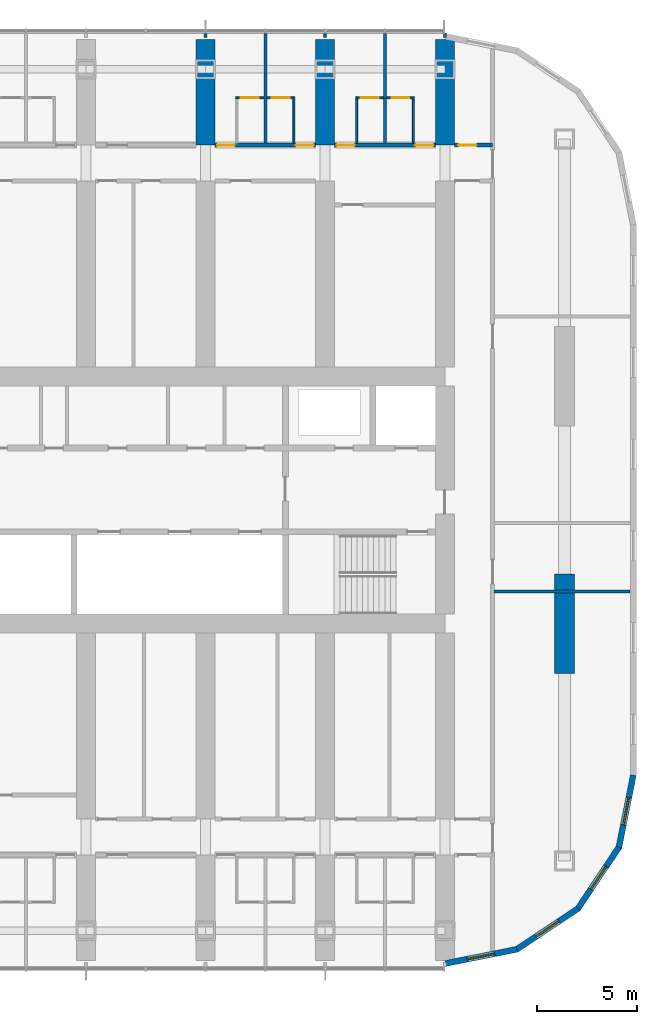
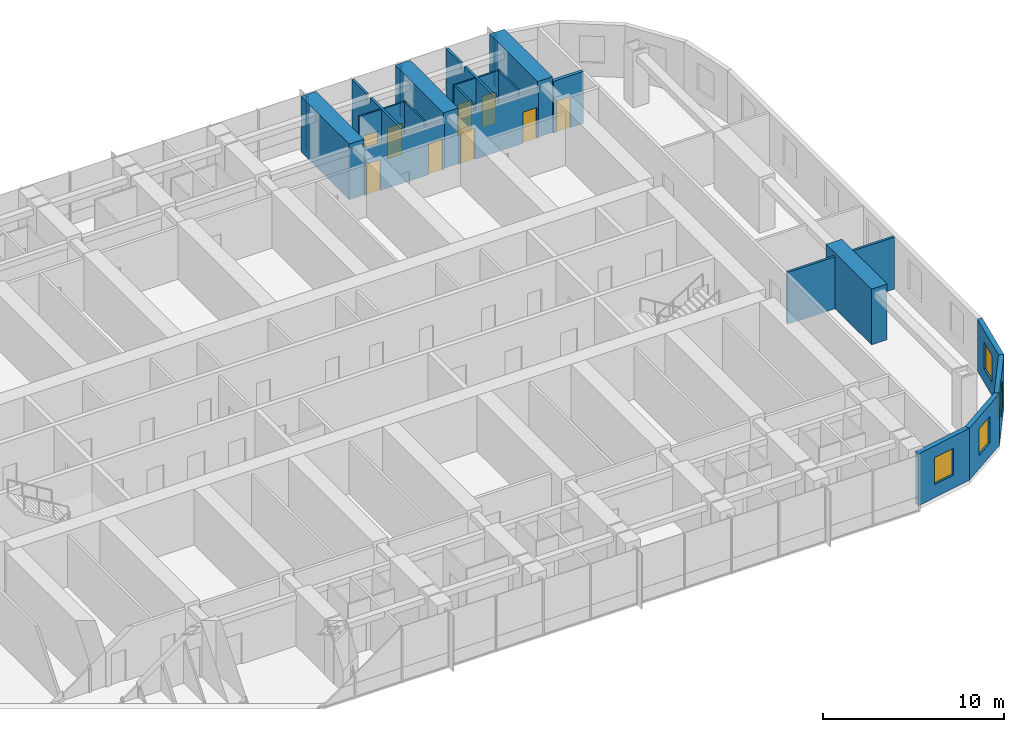
# One storey, part 15 of 21: 24 walls, 9 doors, 4 windows, 13 openings.
"""IFC4 building model written with IfcOpenShell, lengths in metres."""

from ifc_helpers import new_model, si_unit, direction, frame, frame_2d, origin, place, context, subcontext, project, spatial, polyline, rectangle, outline, extrude, material, layer, layer_set, type_object, element, fill, save


model = new_model("IFC4")

# Units and contexts
model_context = context("Model", 3, precision=1e-05, world=origin(), true_north=direction((0.0, 1.0)))
body_context = subcontext(model_context, "Body", "Model", "MODEL_VIEW")
ifc_project = project(units=[si_unit("LENGTHUNIT", "METRE"), si_unit("AREAUNIT", "SQUARE_METRE"), si_unit("VOLUMEUNIT", "CUBIC_METRE"), si_unit("PLANEANGLEUNIT", "RADIAN"), si_unit("MASSUNIT", "GRAM", prefix="KILO")], contexts=[model_context])

# Site, building, storey
site_placement = place(None, origin())
site = spatial("IfcSite", under=ifc_project, at=site_placement, CompositionType="ELEMENT")
building_placement = place(site_placement, origin())
building = spatial("IfcBuilding", under=site, at=building_placement, Name="Orbita Commons", CompositionType="ELEMENT")
storey_placement = place(building_placement, frame((0.0, 0.0, 91.89990234375)))
storey = spatial("IfcBuildingStorey", under=building, at=storey_placement, Name="L22", CompositionType="ELEMENT", Elevation=91.89990234375)

# Wall, openings, doors
ifc_material_1 = material(Name="Concrete blockwork", Category="masonry")
ifc_layer_1 = layer(ifc_material_1, 0.199951171875)
ifc_layer_set_1 = layer_set([ifc_layer_1], Name="Concrete blockwork")
wall_type_1 = type_object("IfcWallType", Name="Corridor wall 200 blockwork", PredefinedType="SOLIDWALL", material=ifc_layer_set_1)
wall_1_placement = place(storey_placement, frame((54.47509765625, 49.800048828125, 0.0), z_axis=(0.0, 0.0, 1.0), x_axis=(1.0, 0.0, 0.0)))
wall_1 = element("IfcWall", 1, at=wall_1_placement, inside=storey, type_object=wall_type_1, Name="Corridor wall 200 blockwork L22", PredefinedType="SOLIDWALL", context=body_context, shape_type="SweptSolid", body=[
    extrude(outline(polyline([(0.0, 0.0), (5.0498046875, 0.0), (5.050048828125, 3.10009765625), (0.0, 3.10009765625), (0.0, 0.0)])), frame((0.0, 0.10009765625, 0.0), z_axis=(0.0, -1.0, 0.0), x_axis=(1.0, 0.0, 0.0)), (0.0, 0.0, 1.0), 0.199951171875),
])
opening_1_placement = place(wall_1_placement, frame((0.10009765625, 0.0, 0.0)))
opening_1 = element("IfcOpeningElement", 2, at=opening_1_placement, cuts=wall_1, Name="Opening D11", PredefinedType="OPENING", context=body_context, shape_type="SweptSolid", body=[
    extrude(rectangle(XDim=0.89990234375, YDim=2.10009765625, at=frame_2d((0.449951171875, 1.050048828125))), frame((0.0, 0.10986328125, 0.0), z_axis=(0.0, -1.0, 0.0), x_axis=(1.0, 0.0, 0.0)), (0.0, 0.0, 1.0), 0.219970703125),
])
opening_2_placement = place(wall_1_placement, frame((4.050048828125, 0.0, 0.0)))
opening_2 = element("IfcOpeningElement", 3, at=opening_2_placement, cuts=wall_1, Name="Opening D11", PredefinedType="OPENING", context=body_context, shape_type="SweptSolid", body=[
    extrude(rectangle(XDim=0.89990234375, YDim=2.10009765625, at=frame_2d((0.449951171875, 1.050048828125))), frame((0.0, 0.10986328125, 0.0), z_axis=(0.0, -1.0, 0.0), x_axis=(1.0, 0.0, 0.0)), (0.0, 0.0, 1.0), 0.219970703125),
])
ifc_material_2 = material(Name="Steel-faced fire door leaf", Category="steel")
door_type_1 = type_object("IfcDoorType", Name="Corridor door 20 min 900x2100", OperationType="SINGLE_SWING_LEFT", PredefinedType="DOOR", material=ifc_material_2)
door_1_placement = place(opening_1_placement, origin())
door_1 = element("IfcDoor", 4, at=door_1_placement, inside=storey, type_object=door_type_1, Name="Cluster bedroom L22-N14 door", OperationType="SINGLE_SWING_LEFT", OverallHeight=2.10009765625, OverallWidth=0.89990234375, PredefinedType="DOOR", context=body_context, shape_type="SweptSolid", body=[
    extrude(rectangle(XDim=0.89990234375, YDim=2.10009765625, at=frame_2d((0.449951171875, 1.050048828125))), frame((0.0, 0.02490234375, 0.0), z_axis=(0.0, -1.0, 0.0), x_axis=(1.0, 0.0, 0.0)), (0.0, 0.0, 1.0), 0.050048828125),
])
fill(opening_1, door_1)
door_2_placement = place(opening_2_placement, origin())
door_2 = element("IfcDoor", 5, at=door_2_placement, inside=storey, type_object=door_type_1, Name="Cluster bedroom L22-N15 door", OperationType="SINGLE_SWING_LEFT", OverallHeight=2.10009765625, OverallWidth=0.89990234375, PredefinedType="DOOR", context=body_context, shape_type="SweptSolid", body=[
    extrude(rectangle(XDim=0.89990234375, YDim=2.10009765625, at=frame_2d((0.449951171875, 1.050048828125))), frame((0.0, 0.02490234375, 0.0), z_axis=(0.0, -1.0, 0.0), x_axis=(1.0, 0.0, 0.0)), (0.0, 0.0, 1.0), 0.050048828125),
])
fill(opening_2, door_2)

wall_2_placement = place(storey_placement, frame((60.47509765625, 49.800048828125, 0.0), z_axis=(0.0, 0.0, 1.0), x_axis=(1.0, 0.0, 0.0)))
wall_2 = element("IfcWall", 6, at=wall_2_placement, inside=storey, type_object=wall_type_1, Name="Corridor wall 200 blockwork L22", PredefinedType="SOLIDWALL", context=body_context, shape_type="SweptSolid", body=[
    extrude(outline(polyline([(0.0, 0.0), (5.0498046875, 0.0), (5.050048828125, 3.10009765625), (0.0, 3.10009765625), (0.0, 0.0)])), frame((0.0, 0.10009765625, 0.0), z_axis=(0.0, -1.0, 0.0), x_axis=(1.0, 0.0, 0.0)), (0.0, 0.0, 1.0), 0.199951171875),
])
opening_3_placement = place(wall_2_placement, frame((0.10009765625, 0.0, 0.0)))
opening_3 = element("IfcOpeningElement", 7, at=opening_3_placement, cuts=wall_2, Name="Opening D11", PredefinedType="OPENING", context=body_context, shape_type="SweptSolid", body=[
    extrude(rectangle(XDim=0.89990234375, YDim=2.10009765625, at=frame_2d((0.449951171875, 1.050048828125))), frame((0.0, 0.10986328125, 0.0), z_axis=(0.0, -1.0, 0.0), x_axis=(1.0, 0.0, 0.0)), (0.0, 0.0, 1.0), 0.219970703125),
])
opening_4_placement = place(wall_2_placement, frame((4.050048828125, 0.0, 0.0)))
opening_4 = element("IfcOpeningElement", 8, at=opening_4_placement, cuts=wall_2, Name="Opening D11", PredefinedType="OPENING", context=body_context, shape_type="SweptSolid", body=[
    extrude(rectangle(XDim=0.89990234375, YDim=2.10009765625, at=frame_2d((0.449951171875, 1.050048828125))), frame((0.0, 0.10986328125, 0.0), z_axis=(0.0, -1.0, 0.0), x_axis=(1.0, 0.0, 0.0)), (0.0, 0.0, 1.0), 0.219970703125),
])
door_3_placement = place(opening_3_placement, origin())
door_3 = element("IfcDoor", 9, at=door_3_placement, inside=storey, type_object=door_type_1, Name="Cluster bedroom L22-N16 door", OperationType="SINGLE_SWING_LEFT", OverallHeight=2.10009765625, OverallWidth=0.89990234375, PredefinedType="DOOR", context=body_context, shape_type="SweptSolid", body=[
    extrude(rectangle(XDim=0.89990234375, YDim=2.10009765625, at=frame_2d((0.449951171875, 1.050048828125))), frame((0.0, 0.02490234375, 0.0), z_axis=(0.0, -1.0, 0.0), x_axis=(1.0, 0.0, 0.0)), (0.0, 0.0, 1.0), 0.050048828125),
])
fill(opening_3, door_3)
door_4_placement = place(opening_4_placement, origin())
door_4 = element("IfcDoor", 10, at=door_4_placement, inside=storey, type_object=door_type_1, Name="Cluster bedroom L22-N17 door", OperationType="SINGLE_SWING_LEFT", OverallHeight=2.10009765625, OverallWidth=0.89990234375, PredefinedType="DOOR", context=body_context, shape_type="SweptSolid", body=[
    extrude(rectangle(XDim=0.89990234375, YDim=2.10009765625, at=frame_2d((0.449951171875, 1.050048828125))), frame((0.0, 0.02490234375, 0.0), z_axis=(0.0, -1.0, 0.0), x_axis=(1.0, 0.0, 0.0)), (0.0, 0.0, 1.0), 0.050048828125),
])
fill(opening_4, door_4)

# Wall, opening, door
wall_3_placement = place(storey_placement, frame((66.47509765625, 49.800048828125, 0.0), z_axis=(0.0, 0.0, 1.0), x_axis=(1.0, 0.0, 0.0)))
wall_3 = element("IfcWall", 11, at=wall_3_placement, inside=storey, type_object=wall_type_1, Name="Corridor wall 200 blockwork L22", PredefinedType="SOLIDWALL", context=body_context, shape_type="SweptSolid", body=[
    extrude(rectangle(XDim=1.9248046875, YDim=0.199951171875, at=frame_2d((0.96240234375, 0.0))), origin(), (0.0, 0.0, 1.0), 3.5),
])
opening_5_placement = place(wall_3_placement, frame((0.199951171875, 0.0, 0.0)))
opening_5 = element("IfcOpeningElement", 12, at=opening_5_placement, cuts=wall_3, Name="Opening D05", PredefinedType="OPENING", context=body_context, shape_type="SweptSolid", body=[
    extrude(rectangle(XDim=0.89990234375, YDim=2.10009765625, at=frame_2d((0.449951171875, 1.050048828125))), frame((0.0, 0.10986328125, 0.0), z_axis=(0.0, -1.0, 0.0), x_axis=(1.0, 0.0, 0.0)), (0.0, 0.0, 1.0), 0.219970703125),
])
ifc_material_3 = material(Name="Steel-faced fire door leaf", Category="steel")
door_type_2 = type_object("IfcDoorType", Name="Service door 20 min 900x2100", OperationType="SINGLE_SWING_LEFT", PredefinedType="DOOR", material=ifc_material_3)
door_5_placement = place(opening_5_placement, origin())
door_5 = element("IfcDoor", 13, at=door_5_placement, inside=storey, type_object=door_type_2, Name="Linen store L22-KEN door", OperationType="SINGLE_SWING_LEFT", OverallHeight=2.10009765625, OverallWidth=0.89990234375, PredefinedType="DOOR", context=body_context, shape_type="SweptSolid", body=[
    extrude(rectangle(XDim=0.89990234375, YDim=2.10009765625, at=frame_2d((0.449951171875, 1.050048828125))), frame((0.0, 0.02490234375, 0.0), z_axis=(0.0, -1.0, 0.0), x_axis=(1.0, 0.0, 0.0)), (0.0, 0.0, 1.0), 0.050048828125),
])
fill(opening_5, door_5)

# Walls
ifc_material_4 = material(Name="Concrete C50/60", Category="concrete")
ifc_layer_2 = layer(ifc_material_4, 0.949951171875)
ifc_layer_set_2 = layer_set([ifc_layer_2], Name="Concrete C50/60")
wall_type_2 = type_object("IfcWallType", Name="Cross wall 950 C50/60", PredefinedType="SHEAR", material=ifc_layer_set_2)
for number, where, z_axis, x_axis, name in (
    (14, (54.0, 49.800048828125, 0.0), (0.0, 0.0, 1.0), (0.0, 1.0, 0.0), "Cross wall 10 north outer L22"),
    (15, (60.0, 49.800048828125, 0.0), (0.0, 0.0, 1.0), (0.0, 1.0, 0.0), "Cross wall 11 north outer L22"),
    (16, (66.0, 49.800048828125, 0.0), (0.0, 0.0, 1.0), (0.0, 1.0, 0.0), "Cross wall 12 north outer L22"),
):
    element("IfcWall", number, at=place(storey_placement, frame(where, z_axis=z_axis, x_axis=x_axis)), inside=storey, type_object=wall_type_2, Name=name, PredefinedType="SHEAR", context=body_context, shape_type="SweptSolid", body=[
        extrude(rectangle(XDim=5.300048828125, YDim=0.949951171875, at=frame_2d((2.64990234375, 0.0))), origin(), (0.0, 0.0, 1.0), 3.75),
    ])

# Wall, opening, door
ifc_material_5 = material(Name="Moisture-resistant plasterboard on steel studs", Category="steel")
ifc_layer_3 = layer(ifc_material_5, 0.10009765625)
ifc_layer_set_3 = layer_set([ifc_layer_3], Name="Moisture-resistant plasterboard on steel studs")
wall_type_3 = type_object("IfcWallType", Name="En-suite partition 100", PredefinedType="PARTITIONING", material=ifc_layer_set_3)
wall_4_placement = place(storey_placement, frame((55.52490234375, 52.1591796875, 0.0), z_axis=(0.0, 0.0, 1.0), x_axis=(1.0, 0.0, 0.0)))
wall_4 = element("IfcWall", 17, at=wall_4_placement, inside=storey, type_object=wall_type_3, Name="En-suite partition 100 L22", PredefinedType="PARTITIONING", context=body_context, shape_type="SweptSolid", body=[
    extrude(rectangle(XDim=1.400146484375, YDim=0.10009765625, at=frame_2d((0.7001953125, 0.0))), origin(), (0.0, 0.0, 1.0), 3.5),
])
opening_6_placement = place(wall_4_placement, frame((0.25, 0.0, 0.0)))
opening_6 = element("IfcOpeningElement", 18, at=opening_6_placement, cuts=wall_4, Name="Opening D09", PredefinedType="OPENING", context=body_context, shape_type="SweptSolid", body=[
    extrude(rectangle(XDim=0.89990234375, YDim=2.10009765625, at=frame_2d((0.449951171875, 1.050048828125))), frame((0.0, 0.06005859375, 0.0), z_axis=(0.0, -1.0, 0.0), x_axis=(1.0, 0.0, 0.0)), (0.0, 0.0, 1.0), 0.1201171875),
])
ifc_material_6 = material(Name="Laminated timber door leaf", Category="wood")
door_type_3 = type_object("IfcDoorType", Name="En-suite door 900x2100", OperationType="SINGLE_SWING_RIGHT", PredefinedType="DOOR", material=ifc_material_6)
door_6_placement = place(opening_6_placement, origin())
door_6 = element("IfcDoor", 19, at=door_6_placement, inside=storey, type_object=door_type_3, Name="En-suite L22-N14 door", OperationType="SINGLE_SWING_RIGHT", OverallHeight=2.10009765625, OverallWidth=0.89990234375, PredefinedType="DOOR", context=body_context, shape_type="SweptSolid", body=[
    extrude(rectangle(XDim=0.89990234375, YDim=2.10009765625, at=frame_2d((0.449951171875, 1.050048828125))), frame((0.0, 0.02490234375, 0.0), z_axis=(0.0, -1.0, 0.0), x_axis=(1.0, 0.0, 0.0)), (0.0, 0.0, 1.0), 0.050048828125),
])
fill(opening_6, door_6)

wall_5_placement = place(storey_placement, frame((57.074951171875, 52.1591796875, 0.0), z_axis=(0.0, 0.0, 1.0), x_axis=(1.0, 0.0, 0.0)))
wall_5 = element("IfcWall", 20, at=wall_5_placement, inside=storey, type_object=wall_type_3, Name="En-suite partition 100 L22", PredefinedType="PARTITIONING", context=body_context, shape_type="SweptSolid", body=[
    extrude(rectangle(XDim=1.400146484375, YDim=0.10009765625, at=frame_2d((0.7001953125, 0.0))), origin(), (0.0, 0.0, 1.0), 3.5),
])
opening_7_placement = place(wall_5_placement, frame((0.25, 0.0, 0.0)))
opening_7 = element("IfcOpeningElement", 21, at=opening_7_placement, cuts=wall_5, Name="Opening D09", PredefinedType="OPENING", context=body_context, shape_type="SweptSolid", body=[
    extrude(rectangle(XDim=0.89990234375, YDim=2.10009765625, at=frame_2d((0.449951171875, 1.050048828125))), frame((0.0, 0.06005859375, 0.0), z_axis=(0.0, -1.0, 0.0), x_axis=(1.0, 0.0, 0.0)), (0.0, 0.0, 1.0), 0.1201171875),
])
door_7_placement = place(opening_7_placement, origin())
door_7 = element("IfcDoor", 22, at=door_7_placement, inside=storey, type_object=door_type_3, Name="En-suite L22-N15 door", OperationType="SINGLE_SWING_RIGHT", OverallHeight=2.10009765625, OverallWidth=0.89990234375, PredefinedType="DOOR", context=body_context, shape_type="SweptSolid", body=[
    extrude(rectangle(XDim=0.89990234375, YDim=2.10009765625, at=frame_2d((0.449951171875, 1.050048828125))), frame((0.0, 0.02490234375, 0.0), z_axis=(0.0, -1.0, 0.0), x_axis=(1.0, 0.0, 0.0)), (0.0, 0.0, 1.0), 0.050048828125),
])
fill(opening_7, door_7)

# Wall
wall_6_placement = place(storey_placement, frame((58.425048828125, 52.109375, 0.0), z_axis=(0.0, 0.0, 1.0), x_axis=(0.0, -1.0, 0.0)))
element("IfcWall", 23, at=wall_6_placement, inside=storey, type_object=wall_type_3, Name="En-suite partition 100 L22", PredefinedType="PARTITIONING", context=body_context, shape_type="SweptSolid", body=[
    extrude(outline(polyline([(0.0, 0.0), (2.20947265625, 0.0), (2.209228515625, 3.10009765625), (2.161376953125, 3.10009765625), (2.1591796875, 3.5), (0.0, 3.5), (0.0, 0.0)])), frame((0.0, 0.050048828125, 0.0), z_axis=(0.0, -1.0, 0.0), x_axis=(1.0, 0.0, 0.0)), (0.0, 0.0, 1.0), 0.10009765625),
])

# Wall, opening, door
wall_7_placement = place(storey_placement, frame((61.52490234375, 52.1591796875, 0.0), z_axis=(0.0, 0.0, 1.0), x_axis=(1.0, 0.0, 0.0)))
wall_7 = element("IfcWall", 24, at=wall_7_placement, inside=storey, type_object=wall_type_3, Name="En-suite partition 100 L22", PredefinedType="PARTITIONING", context=body_context, shape_type="SweptSolid", body=[
    extrude(rectangle(XDim=1.400146484375, YDim=0.10009765625, at=frame_2d((0.7001953125, 0.0))), origin(), (0.0, 0.0, 1.0), 3.5),
])
opening_8_placement = place(wall_7_placement, frame((0.25, 0.0, 0.0)))
opening_8 = element("IfcOpeningElement", 25, at=opening_8_placement, cuts=wall_7, Name="Opening D09", PredefinedType="OPENING", context=body_context, shape_type="SweptSolid", body=[
    extrude(rectangle(XDim=0.89990234375, YDim=2.10009765625, at=frame_2d((0.449951171875, 1.050048828125))), frame((0.0, 0.06005859375, 0.0), z_axis=(0.0, -1.0, 0.0), x_axis=(1.0, 0.0, 0.0)), (0.0, 0.0, 1.0), 0.1201171875),
])
door_8_placement = place(opening_8_placement, origin())
door_8 = element("IfcDoor", 26, at=door_8_placement, inside=storey, type_object=door_type_3, Name="En-suite L22-N16 door", OperationType="SINGLE_SWING_RIGHT", OverallHeight=2.10009765625, OverallWidth=0.89990234375, PredefinedType="DOOR", context=body_context, shape_type="SweptSolid", body=[
    extrude(rectangle(XDim=0.89990234375, YDim=2.10009765625, at=frame_2d((0.449951171875, 1.050048828125))), frame((0.0, 0.02490234375, 0.0), z_axis=(0.0, -1.0, 0.0), x_axis=(1.0, 0.0, 0.0)), (0.0, 0.0, 1.0), 0.050048828125),
])
fill(opening_8, door_8)

# Wall
wall_8_placement = place(storey_placement, frame((61.574951171875, 52.109375, 0.0), z_axis=(0.0, 0.0, 1.0), x_axis=(0.0, -1.0, 0.0)))
element("IfcWall", 27, at=wall_8_placement, inside=storey, type_object=wall_type_3, Name="En-suite partition 100 L22", PredefinedType="PARTITIONING", context=body_context, shape_type="SweptSolid", body=[
    extrude(outline(polyline([(0.0, 0.0), (2.20947265625, 0.0), (2.209228515625, 3.10009765625), (2.161376953125, 3.10009765625), (2.1591796875, 3.5), (0.0, 3.5), (0.0, 0.0)])), frame((0.0, 0.050048828125, 0.0), z_axis=(0.0, -1.0, 0.0), x_axis=(1.0, 0.0, 0.0)), (0.0, 0.0, 1.0), 0.10009765625),
])

# Wall, opening, door
wall_9_placement = place(storey_placement, frame((63.074951171875, 52.1591796875, 0.0), z_axis=(0.0, 0.0, 1.0), x_axis=(1.0, 0.0, 0.0)))
wall_9 = element("IfcWall", 28, at=wall_9_placement, inside=storey, type_object=wall_type_3, Name="En-suite partition 100 L22", PredefinedType="PARTITIONING", context=body_context, shape_type="SweptSolid", body=[
    extrude(rectangle(XDim=1.400146484375, YDim=0.10009765625, at=frame_2d((0.7001953125, 0.0))), origin(), (0.0, 0.0, 1.0), 3.5),
])
opening_9_placement = place(wall_9_placement, frame((0.25, 0.0, 0.0)))
opening_9 = element("IfcOpeningElement", 29, at=opening_9_placement, cuts=wall_9, Name="Opening D09", PredefinedType="OPENING", context=body_context, shape_type="SweptSolid", body=[
    extrude(rectangle(XDim=0.89990234375, YDim=2.10009765625, at=frame_2d((0.449951171875, 1.050048828125))), frame((0.0, 0.06005859375, 0.0), z_axis=(0.0, -1.0, 0.0), x_axis=(1.0, 0.0, 0.0)), (0.0, 0.0, 1.0), 0.1201171875),
])
door_9_placement = place(opening_9_placement, origin())
door_9 = element("IfcDoor", 30, at=door_9_placement, inside=storey, type_object=door_type_3, Name="En-suite L22-N17 door", OperationType="SINGLE_SWING_RIGHT", OverallHeight=2.10009765625, OverallWidth=0.89990234375, PredefinedType="DOOR", context=body_context, shape_type="SweptSolid", body=[
    extrude(rectangle(XDim=0.89990234375, YDim=2.10009765625, at=frame_2d((0.449951171875, 1.050048828125))), frame((0.0, 0.02490234375, 0.0), z_axis=(0.0, -1.0, 0.0), x_axis=(1.0, 0.0, 0.0)), (0.0, 0.0, 1.0), 0.050048828125),
])
fill(opening_9, door_9)

# Walls
wall_10_placement = place(storey_placement, frame((64.425048828125, 52.109375, 0.0), z_axis=(0.0, 0.0, 1.0), x_axis=(0.0, -1.0, 0.0)))
element("IfcWall", 31, at=wall_10_placement, inside=storey, type_object=wall_type_3, Name="En-suite partition 100 L22", PredefinedType="PARTITIONING", context=body_context, shape_type="SweptSolid", body=[
    extrude(outline(polyline([(0.0, 0.0), (2.20947265625, 0.0), (2.209228515625, 3.10009765625), (2.161376953125, 3.10009765625), (2.1591796875, 3.5), (0.0, 3.5), (0.0, 0.0)])), frame((0.0, 0.050048828125, 0.0), z_axis=(0.0, -1.0, 0.0), x_axis=(1.0, 0.0, 0.0)), (0.0, 0.0, 1.0), 0.10009765625),
])
ifc_material_7 = material(Name="Concrete C50/60", Category="concrete")
ifc_layer_4 = layer(ifc_material_7, 1.0)
ifc_layer_set_4 = layer_set([ifc_layer_4], Name="Concrete C50/60")
wall_type_4 = type_object("IfcWallType", Name="End pier 1000x5000 C50/60", PredefinedType="SHEAR", material=ifc_layer_set_4)
wall_11_placement = place(storey_placement, frame((72.0, 23.300048828125, 0.0), z_axis=(0.0, 0.0, 1.0), x_axis=(0.0, 1.0, 0.0)))
element("IfcWall", 32, at=wall_11_placement, inside=storey, type_object=wall_type_4, Name="End pier 13/C L22", PredefinedType="SHEAR", context=body_context, shape_type="SweptSolid", body=[
    extrude(rectangle(XDim=5.0, YDim=1.0, at=frame_2d((2.5, 0.0))), origin(), (0.0, 0.0, 1.0), 3.75),
])
ifc_material_8 = material(Name="Gypsum plasterboard on steel studs", Category="steel")
ifc_layer_5 = layer(ifc_material_8, 0.14990234375)
ifc_layer_set_5 = layer_set([ifc_layer_5], Name="Gypsum plasterboard on steel studs")
wall_type_5 = type_object("IfcWallType", Name="Partition 150 plasterboard", PredefinedType="PARTITIONING", material=ifc_layer_set_5)
wall_12_placement = place(storey_placement, frame((68.47509765625, 27.39990234375, 0.0), z_axis=(0.0, 0.0, 1.0), x_axis=(1.0, 0.0, 0.0)))
element("IfcWall", 33, at=wall_12_placement, inside=storey, type_object=wall_type_5, Name="Partition 150 plasterboard L22", PredefinedType="PARTITIONING", context=body_context, shape_type="SweptSolid", body=[
    extrude(rectangle(XDim=6.81982421875, YDim=0.14990234375, at=frame_2d((3.409912109375, 0.0))), origin(), (0.0, 0.0, 1.0), 3.5),
])
for number, where, z_axis, x_axis, name in (
    (34, (54.0, 55.199951171875, 0.0), (0.0, 0.0, 1.0), (0.0, 1.0, 0.0), "Partition 150 plasterboard L22"),
    (35, (60.0, 55.199951171875, 0.0), (0.0, 0.0, 1.0), (0.0, 1.0, 0.0), "Partition 150 plasterboard L22"),
):
    element("IfcWall", number, at=place(storey_placement, frame(where, z_axis=z_axis, x_axis=x_axis)), inside=storey, type_object=wall_type_5, Name=name, PredefinedType="PARTITIONING", context=body_context, shape_type="SweptSolid", body=[
        extrude(rectangle(XDim=0.18994140625, YDim=0.14990234375, at=frame_2d((0.094970703125, 0.0))), origin(), (0.0, 0.0, 1.0), 3.5),
    ])
wall_13_placement = place(storey_placement, frame((66.0, 55.199951171875, 0.0), z_axis=(0.0, 0.0, 1.0), x_axis=(0.0, 1.0, 0.0)))
element("IfcWall", 36, at=wall_13_placement, inside=storey, type_object=wall_type_5, Name="Partition 150 plasterboard L22", PredefinedType="PARTITIONING", context=body_context, shape_type="SweptSolid", body=[
    extrude(rectangle(XDim=0.219970703125, YDim=0.14990234375, at=frame_2d((0.10986328125, 0.0))), origin(), (0.0, 0.0, 1.0), 3.5),
])
ifc_material_9 = material(Name="Gypsum plasterboard on steel studs", Category="steel")
ifc_layer_6 = layer(ifc_material_9, 0.14990234375)
ifc_layer_set_6 = layer_set([ifc_layer_6], Name="Gypsum plasterboard on steel studs")
wall_type_6 = type_object("IfcWallType", Name="Party wall 150 plasterboard", PredefinedType="PARTITIONING", material=ifc_layer_set_6)
for number, where, z_axis, x_axis, name in (
    (37, (57.0, 55.389892578125, 0.0), (0.0, 0.0, 1.0), (0.0, -1.0, 0.0), "Party wall 150 plasterboard L22"),
    (38, (63.0, 55.389892578125, 0.0), (0.0, 0.0, 1.0), (0.0, -1.0, 0.0), "Party wall 150 plasterboard L22"),
):
    element("IfcWall", number, at=place(storey_placement, frame(where, z_axis=z_axis, x_axis=x_axis)), inside=storey, type_object=wall_type_6, Name=name, PredefinedType="PARTITIONING", context=body_context, shape_type="SweptSolid", body=[
        extrude(outline(polyline([(0.0, 0.0), (5.489990234375, 0.0), (5.489990234375, 3.10009765625), (5.44189453125, 3.10009765625), (5.43994140625, 3.5), (1.991943359375, 3.5), (1.989990234375, 3.10009765625), (1.592041015625, 3.10009765625), (1.590087890625, 3.5), (0.0, 3.5), (0.0, 0.0)])), frame((0.0, 0.074951171875, 0.0), z_axis=(0.0, -1.0, 0.0), x_axis=(1.0, 0.0, 0.0)), (0.0, 0.0, 1.0), 0.14990234375),
    ])

# Wall, opening, window
ifc_material_10 = material(Name="Precast concrete C40/50, white board-marked finish", Category="concrete")
ifc_layer_7 = layer(ifc_material_10, 0.300048828125)
ifc_layer_set_7 = layer_set([ifc_layer_7], Name="Precast concrete C40/50, white board-marked finish")
wall_type_7 = type_object("IfcWallType", Name="Precast concrete end shield 300", PredefinedType="SOLIDWALL", material=ifc_layer_set_7)
wall_14_placement = place(storey_placement, frame((66.0, 8.75, 0.0), z_axis=(0.0, 0.0, 1.0), x_axis=(0.980791473772, 0.195059183267, 0.0)))
wall_14 = element("IfcWall", 39, at=wall_14_placement, inside=storey, type_object=wall_type_7, Name="End shield SE chord 1 L22", PredefinedType="SOLIDWALL", context=body_context, shape_type="SweptSolid", body=[
    extrude(outline(polyline([(-0.02978515625, -0.14990234375), (3.717041015625, -0.14990234375), (3.657470703125, 0.14990234375), (0.02978515625, 0.14990234375), (-0.02978515625, -0.14990234375)])), origin(), (0.0, 0.0, 1.0), 3.5),
])
opening_10_placement = place(wall_14_placement, frame((1.1435546875, 0.0, 0.89990234375)))
opening_10 = element("IfcOpeningElement", 40, at=opening_10_placement, cuts=wall_14, Name="Opening W02", PredefinedType="OPENING", context=body_context, shape_type="SweptSolid", body=[
    extrude(rectangle(XDim=1.39990234375, YDim=1.800048828125, at=frame_2d((0.699951171875, 0.89990234375))), frame((0.0, 0.159912109375, 0.0), z_axis=(0.0, -1.0, 0.0), x_axis=(1.0, 0.0, 0.0)), (0.0, 0.0, 1.0), 0.320068359375),
])
ifc_material_11 = material(Name="Aluminium frame, clear double glazing", Category="aluminium")
window_type = type_object("IfcWindowType", Name="Deep-set window 1400x1800", PartitioningType="SINGLE_PANEL", PredefinedType="WINDOW", material=ifc_material_11)
window_1_placement = place(opening_10_placement, origin())
window_1 = element("IfcWindow", 41, at=window_1_placement, inside=storey, type_object=window_type, Name="Window L22-SE0", OverallHeight=1.800048828125, OverallWidth=1.39990234375, PartitioningType="SINGLE_PANEL", PredefinedType="WINDOW", context=body_context, shape_type="SweptSolid", body=[
    extrude(rectangle(XDim=1.39990234375, YDim=1.800048828125, at=frame_2d((0.699951171875, 0.89990234375))), frame((0.0, 0.030029296875, 0.0), z_axis=(0.0, -1.0, 0.0), x_axis=(1.0, 0.0, 0.0)), (0.0, 0.0, 1.0), 0.06005859375),
])
fill(opening_10, window_1)

wall_15_placement = place(storey_placement, frame((69.616455078125, 9.46923828125, 0.0), z_axis=(0.0, 0.0, 1.0), x_axis=(0.831448786846, 0.555601399253, 0.0)))
wall_15 = element("IfcWall", 42, at=wall_15_placement, inside=storey, type_object=wall_type_7, Name="End shield SE chord 2 L22", PredefinedType="SOLIDWALL", context=body_context, shape_type="SweptSolid", body=[
    extrude(outline(polyline([(-0.02978515625, -0.14990234375), (3.717041015625, -0.14990234375), (3.657470703125, 0.14990234375), (0.02978515625, 0.14990234375), (-0.02978515625, -0.14990234375)])), origin(), (0.0, 0.0, 1.0), 3.5),
])
opening_11_placement = place(wall_15_placement, frame((1.1435546875, 0.0, 0.89990234375)))
opening_11 = element("IfcOpeningElement", 43, at=opening_11_placement, cuts=wall_15, Name="Opening W02", PredefinedType="OPENING", context=body_context, shape_type="SweptSolid", body=[
    extrude(rectangle(XDim=1.39990234375, YDim=1.800048828125, at=frame_2d((0.699951171875, 0.89990234375))), frame((0.0, 0.159912109375, 0.0), z_axis=(0.0, -1.0, 0.0), x_axis=(1.0, 0.0, 0.0)), (0.0, 0.0, 1.0), 0.320068359375),
])
window_2_placement = place(opening_11_placement, origin())
window_2 = element("IfcWindow", 44, at=window_2_placement, inside=storey, type_object=window_type, Name="Window L22-SE1", OverallHeight=1.800048828125, OverallWidth=1.39990234375, PartitioningType="SINGLE_PANEL", PredefinedType="WINDOW", context=body_context, shape_type="SweptSolid", body=[
    extrude(rectangle(XDim=1.39990234375, YDim=1.800048828125, at=frame_2d((0.699951171875, 0.89990234375))), frame((0.0, 0.030029296875, 0.0), z_axis=(0.0, -1.0, 0.0), x_axis=(1.0, 0.0, 0.0)), (0.0, 0.0, 1.0), 0.06005859375),
])
fill(opening_11, window_2)

wall_16_placement = place(storey_placement, frame((72.68212890625, 11.517822265625, 0.0), z_axis=(0.0, 0.0, 1.0), x_axis=(0.555601399253, 0.831448786846, 0.0)))
wall_16 = element("IfcWall", 45, at=wall_16_placement, inside=storey, type_object=wall_type_7, Name="End shield SE chord 3 L22", PredefinedType="SOLIDWALL", context=body_context, shape_type="SweptSolid", body=[
    extrude(outline(polyline([(-0.02978515625, -0.14990234375), (3.717041015625, -0.14990234375), (3.657470703125, 0.14990234375), (0.02978515625, 0.14990234375), (-0.02978515625, -0.14990234375)])), origin(), (0.0, 0.0, 1.0), 3.5),
])
opening_12_placement = place(wall_16_placement, frame((1.1435546875, 0.0, 0.89990234375)))
opening_12 = element("IfcOpeningElement", 46, at=opening_12_placement, cuts=wall_16, Name="Opening W02", PredefinedType="OPENING", context=body_context, shape_type="SweptSolid", body=[
    extrude(rectangle(XDim=1.39990234375, YDim=1.800048828125, at=frame_2d((0.699951171875, 0.89990234375))), frame((0.0, 0.159912109375, 0.0), z_axis=(0.0, -1.0, 0.0), x_axis=(1.0, 0.0, 0.0)), (0.0, 0.0, 1.0), 0.320068359375),
])
window_3_placement = place(opening_12_placement, origin())
window_3 = element("IfcWindow", 47, at=window_3_placement, inside=storey, type_object=window_type, Name="Window L22-SE2", OverallHeight=1.800048828125, OverallWidth=1.39990234375, PartitioningType="SINGLE_PANEL", PredefinedType="WINDOW", context=body_context, shape_type="SweptSolid", body=[
    extrude(rectangle(XDim=1.39990234375, YDim=1.800048828125, at=frame_2d((0.699951171875, 0.89990234375))), frame((0.0, 0.030029296875, 0.0), z_axis=(0.0, -1.0, 0.0), x_axis=(1.0, 0.0, 0.0)), (0.0, 0.0, 1.0), 0.06005859375),
])
fill(opening_12, window_3)

wall_17_placement = place(storey_placement, frame((74.730712890625, 14.58349609375, 0.0), z_axis=(0.0, 0.0, 1.0), x_axis=(0.195059183267, 0.980791473772, 0.0)))
wall_17 = element("IfcWall", 48, at=wall_17_placement, inside=storey, type_object=wall_type_7, Name="End shield SE chord 4 L22", PredefinedType="SOLIDWALL", context=body_context, shape_type="SweptSolid", body=[
    extrude(outline(polyline([(-0.02978515625, -0.14990234375), (3.7021484375, -0.14990234375), (3.67236328125, 0.14990234375), (0.02978515625, 0.14990234375), (-0.02978515625, -0.14990234375)])), origin(), (0.0, 0.0, 1.0), 3.5),
])
opening_13_placement = place(wall_17_placement, frame((1.1435546875, 0.0, 0.89990234375)))
opening_13 = element("IfcOpeningElement", 49, at=opening_13_placement, cuts=wall_17, Name="Opening W02", PredefinedType="OPENING", context=body_context, shape_type="SweptSolid", body=[
    extrude(rectangle(XDim=1.39990234375, YDim=1.800048828125, at=frame_2d((0.699951171875, 0.89990234375))), frame((0.0, 0.159912109375, 0.0), z_axis=(0.0, -1.0, 0.0), x_axis=(1.0, 0.0, 0.0)), (0.0, 0.0, 1.0), 0.320068359375),
])
window_4_placement = place(opening_13_placement, origin())
window_4 = element("IfcWindow", 50, at=window_4_placement, inside=storey, type_object=window_type, Name="Window L22-SE3", OverallHeight=1.800048828125, OverallWidth=1.39990234375, PartitioningType="SINGLE_PANEL", PredefinedType="WINDOW", context=body_context, shape_type="SweptSolid", body=[
    extrude(rectangle(XDim=1.39990234375, YDim=1.800048828125, at=frame_2d((0.699951171875, 0.89990234375))), frame((0.0, 0.030029296875, 0.0), z_axis=(0.0, -1.0, 0.0), x_axis=(1.0, 0.0, 0.0)), (0.0, 0.0, 1.0), 0.06005859375),
])
fill(opening_13, window_4)

save(model, "model.ifc")
